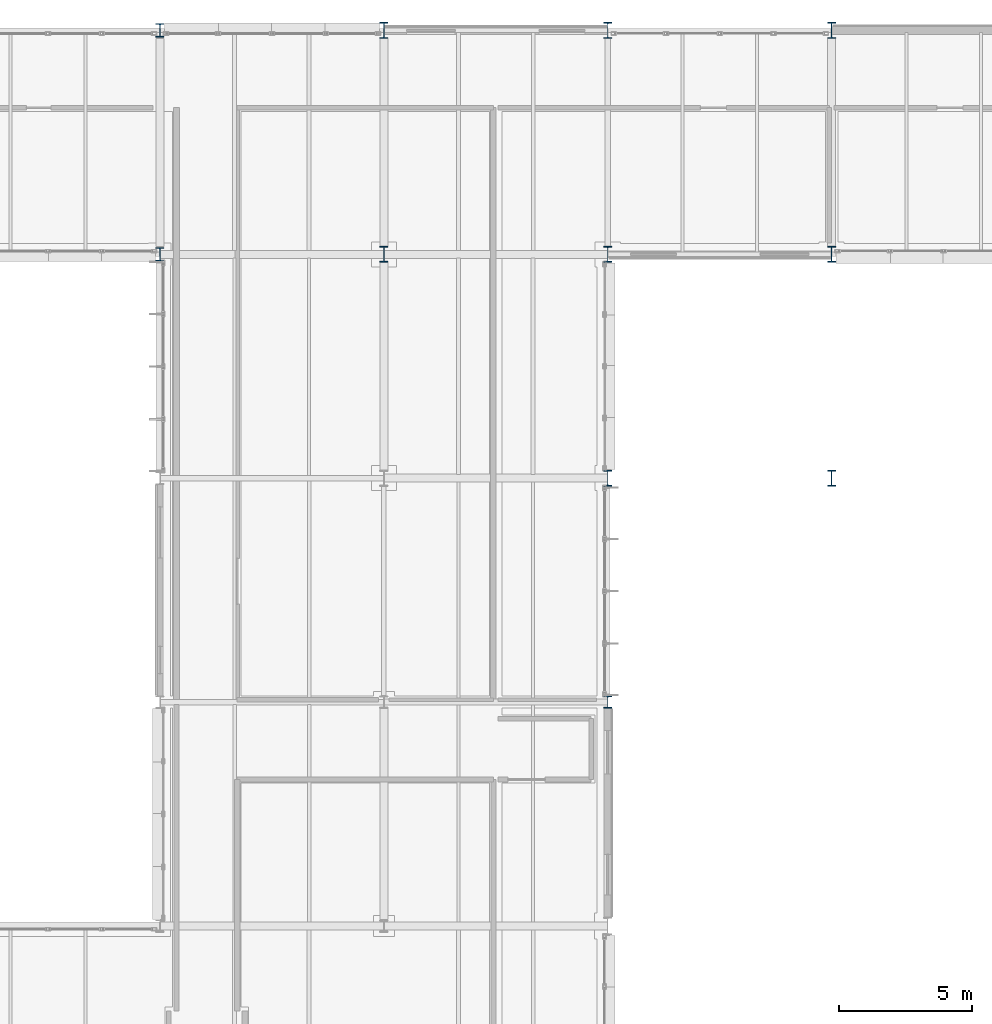
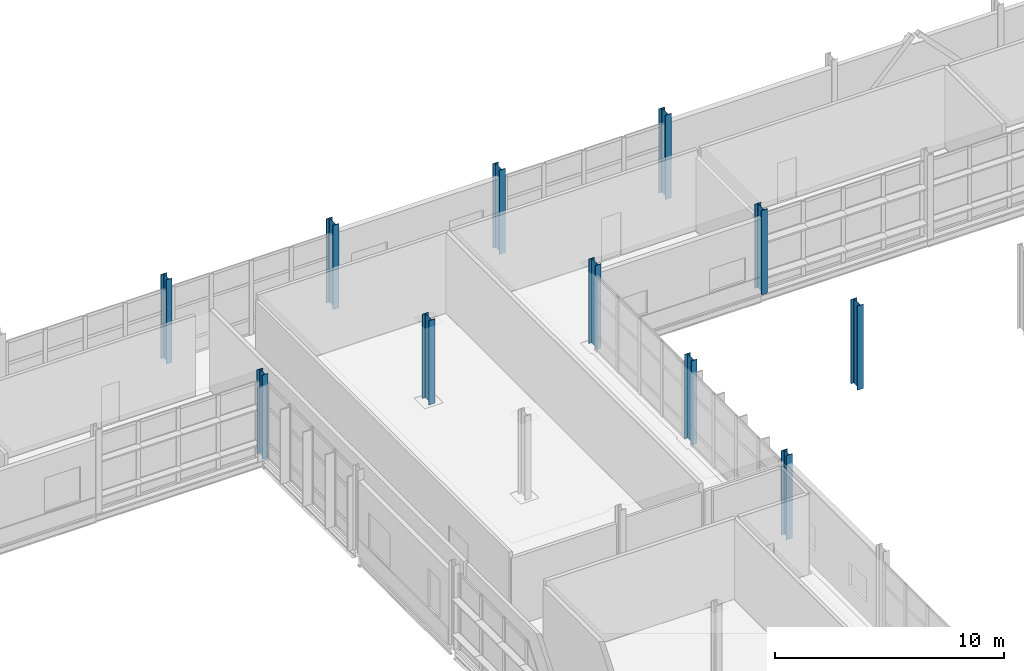
# One storey, part 13 of 129: 11 columns.
"""IFC4 building model written with IfcOpenShell, lengths in metres."""

from ifc_helpers import new_model, si_unit, direction, frame, origin, origin_2d, place, context, subcontext, project, spatial, i_section, extrude, material, material_profile, profile_set, type_object, element, save


model = new_model("IFC4")

# Units and contexts
model_context = context("Model", 3, precision=1e-05, world=origin(), true_north=direction((0.0, 1.0)))
body_context = subcontext(model_context, "Body", "Model", "MODEL_VIEW")
ifc_project = project(units=[si_unit("LENGTHUNIT", "METRE"), si_unit("AREAUNIT", "SQUARE_METRE"), si_unit("VOLUMEUNIT", "CUBIC_METRE"), si_unit("PLANEANGLEUNIT", "RADIAN"), si_unit("MASSUNIT", "GRAM", prefix="KILO")], contexts=[model_context])

# Site, building, storey
site_placement = place(None, origin())
site = spatial("IfcSite", under=ifc_project, at=site_placement, CompositionType="ELEMENT")
building_placement = place(site_placement, origin())
building = spatial("IfcBuilding", under=site, at=building_placement, Name="Mersafa Astral City Hall", CompositionType="ELEMENT")
storey_placement = place(building_placement, frame((0.0, 0.0, 5.39990234375)))
storey = spatial("IfcBuildingStorey", under=building, at=storey_placement, Name="L01", CompositionType="ELEMENT", Elevation=5.39990234375)

# Columns
ifc_material = material(Name="Steel S355", Category="steel")
ifc_material_profile_1 = material_profile(ifc_material, i_section(OverallWidth=0.300048828125, OverallDepth=0.449951171875, WebThickness=0.013916015625, FlangeThickness=0.02587890625, FilletRadius=0.027099609375, at=origin_2d()), Name="HEB 450")
ifc_profile_set_1 = profile_set([ifc_material_profile_1], Name="Steel S355")
column_type_1 = type_object("IfcColumnType", Name="STR-COL-HEB450", PredefinedType="COLUMN", material=ifc_profile_set_1)
column_placement = place(storey_placement, frame((117.60009765625, 100.800048828125, 0.0), z_axis=(0.0, 0.0, 1.0), x_axis=(1.0, 0.0, 0.0)))
element("IfcColumn", 1, at=column_placement, inside=storey, type_object=column_type_1, Name="L01 Structural column G-14-12", PredefinedType="COLUMN", context=body_context, shape_type="SweptSolid", body=[
    extrude(i_section(OverallWidth=0.300048828125, OverallDepth=0.449951171875, WebThickness=0.013916015625, FlangeThickness=0.02587890625, FilletRadius=0.027099609375, at=origin_2d()), origin(), (0.0, 0.0, 1.0), 4.5),
])
ifc_material_profile_2 = material_profile(ifc_material, i_section(OverallWidth=0.300048828125, OverallDepth=0.5, WebThickness=0.014404296875, FlangeThickness=0.028076171875, FilletRadius=0.027099609375, at=origin_2d()), Name="HEB 500")
ifc_profile_set_2 = profile_set([ifc_material_profile_2], Name="Steel S355")
column_type_2 = type_object("IfcColumnType", Name="STR-COL-HEB500", PredefinedType="COLUMN", material=ifc_profile_set_2)
for number, where, z_axis, x_axis, name in (
    (2, (100.800048828125, 117.60009765625, 0.0), (0.0, 0.0, 1.0), (1.0, 0.0, 0.0), "L01 Structural column G-12-14"),
    (3, (100.800048828125, 126.0, 0.0), (0.0, 0.0, 1.0), (1.0, 0.0, 0.0), "L01 Structural column G-12-15"),
):
    element("IfcColumn", number, at=place(storey_placement, frame(where, z_axis=z_axis, x_axis=x_axis)), inside=storey, type_object=column_type_2, Name=name, PredefinedType="COLUMN", context=body_context, shape_type="SweptSolid", body=[
        extrude(i_section(OverallWidth=0.300048828125, OverallDepth=0.5, WebThickness=0.014404296875, FlangeThickness=0.028076171875, FilletRadius=0.027099609375, at=origin_2d()), origin(), (0.0, 0.0, 1.0), 4.5),
    ])
ifc_material_profile_3 = material_profile(ifc_material, i_section(OverallWidth=0.300048828125, OverallDepth=0.60009765625, WebThickness=0.015380859375, FlangeThickness=0.030029296875, FilletRadius=0.027099609375, at=origin_2d()), Name="HEB 600")
ifc_profile_set_3 = profile_set([ifc_material_profile_3], Name="Steel S355")
column_type_3 = type_object("IfcColumnType", Name="STR-COL-HEB600", PredefinedType="COLUMN", material=ifc_profile_set_3)
for number, where, z_axis, x_axis, name in (
    (4, (109.199951171875, 117.60009765625, 0.0), (0.0, 0.0, 1.0), (1.0, 0.0, 0.0), "L01 Structural column G-13-14"),
    (5, (109.199951171875, 126.0, 0.0), (0.0, 0.0, 1.0), (1.0, 0.0, 0.0), "L01 Structural column G-13-15"),
    (6, (117.60009765625, 109.199951171875, 0.0), (0.0, 0.0, 1.0), (1.0, 0.0, 0.0), "L01 Structural column G-14-13"),
    (7, (117.60009765625, 117.60009765625, 0.0), (0.0, 0.0, 1.0), (1.0, 0.0, 0.0), "L01 Structural column G-14-14"),
    (8, (117.60009765625, 126.0, 0.0), (0.0, 0.0, 1.0), (1.0, 0.0, 0.0), "L01 Structural column G-14-15"),
    (9, (126.0, 109.199951171875, 0.0), (0.0, 0.0, 1.0), (1.0, 0.0, 0.0), "L01 Structural column G-15-13"),
    (10, (126.0, 117.60009765625, 0.0), (0.0, 0.0, 1.0), (1.0, 0.0, 0.0), "L01 Structural column G-15-14"),
    (11, (126.0, 126.0, 0.0), (0.0, 0.0, 1.0), (1.0, 0.0, 0.0), "L01 Structural column G-15-15"),
):
    element("IfcColumn", number, at=place(storey_placement, frame(where, z_axis=z_axis, x_axis=x_axis)), inside=storey, type_object=column_type_3, Name=name, PredefinedType="COLUMN", context=body_context, shape_type="SweptSolid", body=[
        extrude(i_section(OverallWidth=0.300048828125, OverallDepth=0.60009765625, WebThickness=0.015380859375, FlangeThickness=0.030029296875, FilletRadius=0.027099609375, at=origin_2d()), origin(), (0.0, 0.0, 1.0), 4.5),
    ])

save(model, "model.ifc")
